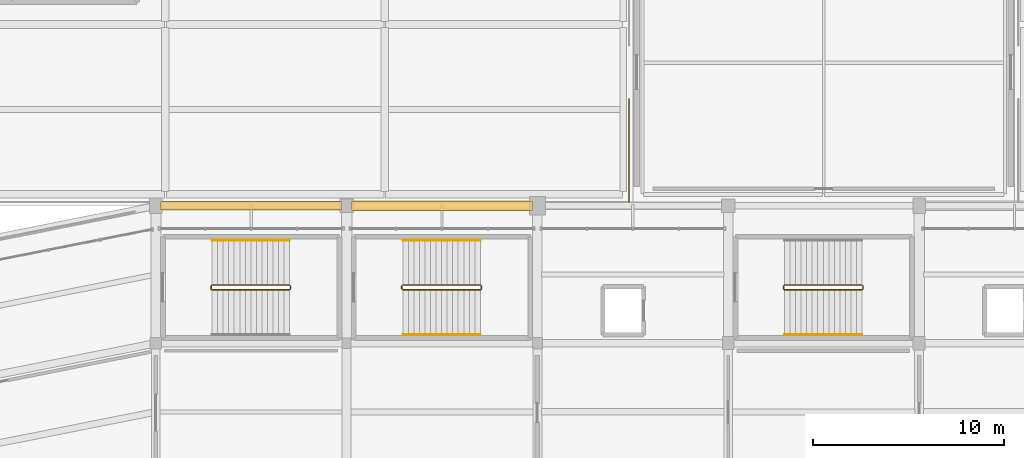
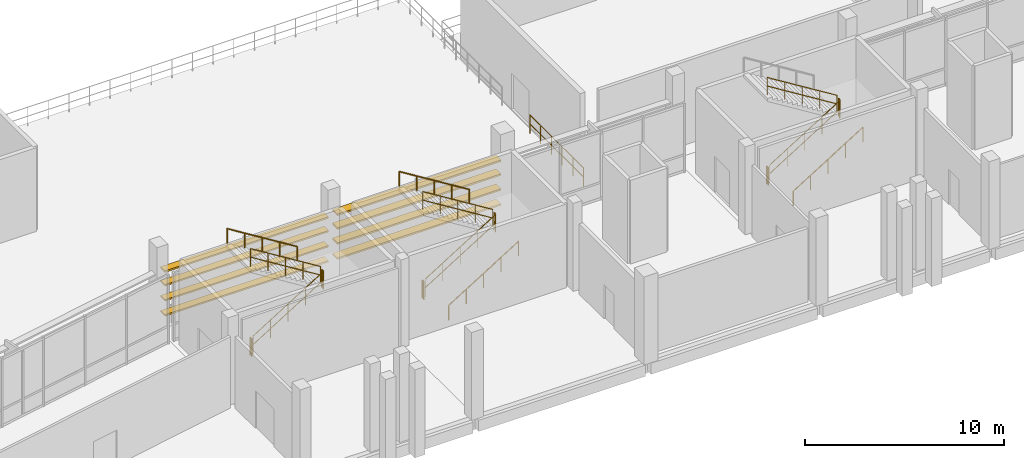
# One storey, part 106 of 111: 17 railings, 8 shading devices.
"""IFC4 building model written with IfcOpenShell, lengths in metres."""

import ifcopenshell
import ifcopenshell.guid

model = None  # the IFC model being written
_history = None  # IfcOwnerHistory: only IFC2X3 demands one
_inside = {}  # id of a spatial element -> (the spatial element, [elements in it])
_under = {}  # id of a project, library or spatial element -> (it, [spatial elements below it])
_declared = {}  # id of a project -> (the project, [libraries it declares])
_typed = {}  # id of a type object -> (the type object, [elements of that type])
_made_of = {}  # id of a material, layer set ... -> (it, [elements and type objects made of it])


def new_model(schema):
    """Start an empty IFC model of exactly this schema.

    Asked for "IFC4X3", IfcOpenShell would pick the latest addendum, in which some entities
    have other attributes; the version numbers below select the first issue.
    IFC2X3 requires an IfcOwnerHistory on every rooted entity: one is made here for all.
    """
    global model, _history
    if schema == "IFC4X3":
        model = ifcopenshell.file(schema_version=(4, 3, 0, 0))
    else:
        model = ifcopenshell.file(schema=schema)
    _inside.clear()
    _under.clear()
    _declared.clear()
    _typed.clear()
    _made_of.clear()
    _history = None
    if model.schema == "IFC2X3":
        org = make("IfcOrganization", Name="unknown")
        user = make(
            "IfcPersonAndOrganization",
            ThePerson=make("IfcPerson", FamilyName="unknown"),
            TheOrganization=org,
        )
        app = make(
            "IfcApplication",
            ApplicationDeveloper=org,
            Version="unknown",
            ApplicationFullName="unknown",
            ApplicationIdentifier="unknown",
        )
        _history = make(
            "IfcOwnerHistory",
            OwningUser=user,
            OwningApplication=app,
            ChangeAction="ADDED",
            CreationDate=0,
        )
    return model


def make(cls, **values):
    """One entity of the class cls with the attributes given. An attribute that is None is left unset."""
    return model.create_entity(
        cls, **{name: value for name, value in values.items() if value is not None}
    )


def rooted(cls, **values):
    """An entity with a GlobalId (a new one), such as an element, a storey or a relation."""
    return make(cls, GlobalId=ifcopenshell.guid.new(), OwnerHistory=_history, **values)


def si_unit(unit_type, name, prefix=None):
    """IfcSIUnit, for example si_unit("LENGTHUNIT", "METRE", prefix="MILLI")."""
    return make("IfcSIUnit", UnitType=unit_type, Prefix=prefix, Name=name)


def assignment(units):
    """IfcUnitAssignment: the units of a project."""
    return None if units is None else make("IfcUnitAssignment", Units=units)


def point(xyz):
    """IfcCartesianPoint."""
    return None if xyz is None else make("IfcCartesianPoint", Coordinates=xyz)


def direction(xyz):
    """IfcDirection."""
    return None if xyz is None else make("IfcDirection", DirectionRatios=xyz)


def frame(location, z_axis=None, x_axis=None):
    """IfcAxis2Placement3D, a coordinate frame: its origin and axes. An axis left out is left unset."""
    return make(
        "IfcAxis2Placement3D",
        Location=point(location),
        Axis=direction(z_axis),
        RefDirection=direction(x_axis),
    )


def frame_2d(location, x_axis=None):
    """IfcAxis2Placement2D, a coordinate frame in the plane: its origin and x axis."""
    return make(
        "IfcAxis2Placement2D", Location=point(location), RefDirection=direction(x_axis)
    )


def origin():
    """The frame at (0, 0, 0) with its axes left unset."""
    return frame((0.0, 0.0, 0.0))


def origin_2d():
    """The frame at (0, 0) in the plane with its x axis left unset."""
    return frame_2d((0.0, 0.0))


def place(relative_to, where):
    """IfcLocalPlacement: puts the frame where relative to a parent placement (None: the world)."""
    return make(
        "IfcLocalPlacement", PlacementRelTo=relative_to, RelativePlacement=where
    )


def context(
    kind, dimensions, precision=None, world=None, true_north=None, identifier=None
):
    """IfcGeometricRepresentationContext, for example the 3D "Model" context."""
    return make(
        "IfcGeometricRepresentationContext",
        ContextIdentifier=identifier,
        ContextType=kind,
        CoordinateSpaceDimension=dimensions,
        Precision=precision,
        WorldCoordinateSystem=world,
        TrueNorth=true_north,
    )


def subcontext(parent, identifier, kind, view, scale=None):
    """IfcGeometricRepresentationSubContext, for example "Body" below "Model"."""
    return make(
        "IfcGeometricRepresentationSubContext",
        ContextIdentifier=identifier,
        ContextType=kind,
        ParentContext=parent,
        TargetScale=scale,
        TargetView=view,
    )


def project(units=None, contexts=None):
    """IfcProject with its units and contexts."""
    return rooted(
        "IfcProject",
        Name="project",
        RepresentationContexts=contexts,
        UnitsInContext=assignment(units),
    )


def spatial(cls, under=None, at=None, **own):
    """A site, building, storey or space (cls), placed at a placement, below another one or the project."""
    s = rooted(cls, ObjectPlacement=at, **own)
    if under is not None:
        _under.setdefault(under.id(), (under, []))[1].append(s)
    return s


def profile(cls, at=None, kind="AREA", **sizes):
    """A parametric profile (cls). Its sizes go by their IFC names, for example OverallWidth=200.0."""
    return make(cls, ProfileType=kind, Position=at, **sizes)


def rectangle(**sizes):
    """IfcRectangleProfileDef."""
    return profile("IfcRectangleProfileDef", **sizes)


def circle(**sizes):
    """IfcCircleProfileDef."""
    return profile("IfcCircleProfileDef", **sizes)


def extrude(swept, where, along, depth):
    """IfcExtrudedAreaSolid: the profile swept, set in the frame where, extruded along a direction by depth."""
    return make(
        "IfcExtrudedAreaSolid",
        SweptArea=swept,
        Position=where,
        ExtrudedDirection=direction(along),
        Depth=depth,
    )


def shape(context_of_items, identifier, shape_type, items):
    """IfcShapeRepresentation: the items that make up one representation, for example the "Body"."""
    return make(
        "IfcShapeRepresentation",
        ContextOfItems=context_of_items,
        RepresentationIdentifier=identifier,
        RepresentationType=shape_type,
        Items=items,
    )


def material(Name=None, Category=None):
    """IfcMaterial."""
    return make("IfcMaterial", Name=Name, Category=Category)


def layer(
    of_material, thickness, ventilated=None, Name=None, Category=None, Priority=None
):
    """IfcMaterialLayer: one layer of a wall or slab, of a material (None: an air gap)."""
    return make(
        "IfcMaterialLayer",
        Material=of_material,
        LayerThickness=thickness,
        IsVentilated=ventilated,
        Name=Name,
        Category=Category,
        Priority=Priority,
    )


def layer_set(layers, Name=None):
    """IfcMaterialLayerSet."""
    return make("IfcMaterialLayerSet", MaterialLayers=layers, LayerSetName=Name)


def made_of(thing, what):
    """Note that an element or type object is made of a material, layer set ...; save() writes the relation."""
    if what is not None:
        _made_of.setdefault(what.id(), (what, []))[1].append(thing)
    return thing


def type_object(cls, material=None, **own):
    """A type object (cls), such as IfcWallType, which elements share."""
    return made_of(rooted(cls, **own), material)


def element(
    cls,
    number,
    at=None,
    inside=None,
    cuts=None,
    type_object=None,
    material=None,
    context=None,
    identifier="Body",
    shape_type=None,
    held_by="IfcProductDefinitionShape",
    body=None,
    shapes=None,
    **own,
):
    """One element of the class cls, such as IfcWall. Its Tag is "e" and its number.

    at: its placement. inside: the storey or other place that contains it. cuts: it is an
    opening in that element (IfcRelVoidsElement). A single representation is given by context,
    identifier, shape_type and body (its items); several are given by shapes. held_by: the class
    of the entity that holds the representations. save() writes the other relations.
    """
    e = rooted(cls, Tag="e%d" % number, ObjectPlacement=at, **own)
    if body is not None:
        shapes = [shape(context, identifier, shape_type, body)]
    if shapes is not None:
        e.Representation = make(held_by, Representations=shapes)
    if inside is not None:
        _inside.setdefault(inside.id(), (inside, []))[1].append(e)
    if cuts is not None:
        rooted(
            "IfcRelVoidsElement", RelatingBuildingElement=cuts, RelatedOpeningElement=e
        )
    if type_object is not None:
        _typed.setdefault(type_object.id(), (type_object, []))[1].append(e)
    return made_of(e, material)


def aggregate(whole, parts):
    """IfcRelAggregates: a whole, such as a stair, and the parts it consists of."""
    return rooted("IfcRelAggregates", RelatingObject=whole, RelatedObjects=parts)


def save(model, path):
    """Write the relations noted so far, then the file.

    IfcRelAggregates (storeys below a building ...), IfcRelContainedInSpatialStructure (elements
    in a storey), IfcRelDefinesByType, IfcRelAssociatesMaterial and IfcRelDeclares: one each for
    every whole, place, type object, material and project.
    """
    for whole, parts in _under.values():
        aggregate(whole, parts)
    for where, things in _inside.values():
        rooted(
            "IfcRelContainedInSpatialStructure",
            RelatedElements=things,
            RelatingStructure=where,
        )
    for kind, things in _typed.values():
        rooted("IfcRelDefinesByType", RelatedObjects=things, RelatingType=kind)
    for what, things in _made_of.values():
        rooted("IfcRelAssociatesMaterial", RelatedObjects=things, RelatingMaterial=what)
    for by, libraries in _declared.values():
        rooted("IfcRelDeclares", RelatingContext=by, RelatedDefinitions=libraries)
    model.write(path)


model = new_model("IFC4")

# Units and contexts
model_context = context("Model", 3, precision=1e-05, world=origin(), true_north=direction((0.0, 1.0)))
body_context = subcontext(model_context, "Body", "Model", "MODEL_VIEW")
ifc_project = project(units=[si_unit("LENGTHUNIT", "METRE"), si_unit("AREAUNIT", "SQUARE_METRE"), si_unit("VOLUMEUNIT", "CUBIC_METRE"), si_unit("PLANEANGLEUNIT", "RADIAN"), si_unit("MASSUNIT", "GRAM", prefix="KILO")], contexts=[model_context])

# Site, building, storey
site_placement = place(None, origin())
site = spatial("IfcSite", under=ifc_project, at=site_placement, CompositionType="ELEMENT")
building_placement = place(site_placement, origin())
building = spatial("IfcBuilding", under=site, at=building_placement, Name="Candeia Ridge Stadium", CompositionType="ELEMENT")
storey_placement = place(building_placement, frame((0.0, 0.0, 16.199951171875)))
storey = spatial("IfcBuildingStorey", under=building, at=storey_placement, Name="L03", CompositionType="ELEMENT", Elevation=16.199951171875)

# Railings
ifc_material_1 = material(Name="Laminated Glass & Stainless Steel", Category="steel")
ifc_layer_1 = layer(ifc_material_1, 0.080078125, Name="Laminated Glass & Stainless Steel", Category="steel")
ifc_layer_set_1 = layer_set([ifc_layer_1], Name="Laminated Glass & Stainless Steel")
railing_type_1 = type_object("IfcRailingType", Name="Planted Terrace Glass-Steel Guard 1150", PredefinedType="BALUSTRADE", material=ifc_layer_set_1)
railing_1_placement = place(storey_placement, frame((95.800048828125, 152.60009765625, 0.0)))
element("IfcRailing", 1, at=railing_1_placement, inside=storey, type_object=railing_type_1, Name="Terrace perimeter balustrade GR-TER-186", PredefinedType="BALUSTRADE", context=body_context, shape_type="SweptSolid", body=[
    extrude(circle(Radius=0.02392578125, at=origin_2d()), frame((0.0, 0.0, 1.1259765625), z_axis=(0.0, -1.0, 0.0), x_axis=(1.0, 0.0, 0.0)), (0.0, 0.0, 1.0), 5.400146484375),
    extrude(circle(Radius=0.02392578125, at=origin_2d()), frame((0.0, 0.0, 0.574951171875), z_axis=(0.0, -1.0, 0.0), x_axis=(1.0, 0.0, 0.0)), (0.0, 0.0, 1.0), 5.400146484375),
    extrude(circle(Radius=0.02099609375, at=origin_2d()), origin(), (0.0, 0.0, 1.0), 1.101806640625),
    extrude(circle(Radius=0.02099609375, at=origin_2d()), frame((0.0, -1.080078125, 0.0)), (0.0, 0.0, 1.0), 1.101806640625),
    extrude(circle(Radius=0.02099609375, at=origin_2d()), frame((0.0, -2.16015625, 0.0)), (0.0, 0.0, 1.0), 1.101806640625),
    extrude(circle(Radius=0.02099609375, at=origin_2d()), frame((0.0, -3.239990234375, 0.0)), (0.0, 0.0, 1.0), 1.101806640625),
    extrude(circle(Radius=0.02099609375, at=origin_2d()), frame((0.0, -4.320068359375, 0.0)), (0.0, 0.0, 1.0), 1.101806640625),
    extrude(circle(Radius=0.02099609375, at=origin_2d()), frame((0.0, -5.400146484375, 0.0)), (0.0, 0.0, 1.0), 1.101806640625),
])
ifc_material_2 = material(Name="Brushed Stainless Steel", Category="steel")
ifc_layer_2 = layer(ifc_material_2, 0.048095703125, Name="Brushed Stainless Steel", Category="steel")
ifc_layer_set_2 = layer_set([ifc_layer_2], Name="Brushed Stainless Steel")
railing_type_2 = type_object("IfcRailingType", Name="Stair Wall & Flight Handrail 900", PredefinedType="HANDRAIL", material=ifc_layer_set_2)
railing_2_placement = place(storey_placement, frame((78.010009765625, 145.199951171875, 2.880126953125)))
element("IfcRailing", 2, at=railing_2_placement, inside=storey, type_object=railing_type_2, Name="L03 ST01 stair handrail 2", PredefinedType="HANDRAIL", context=body_context, shape_type="SweptSolid", body=[
    extrude(circle(Radius=0.02392578125, at=origin_2d()), frame((0.0, 0.0, 0.8759765625), z_axis=(-0.849641744969, 0.0, 0.527360318194), x_axis=(0.0, -1.0, 0.0)), (0.0, 0.0, 1.0), 4.778564453125),
    extrude(circle(Radius=0.02099609375, at=origin_2d()), origin(), (0.0, 0.0, 1.0), 0.851806640625),
    extrude(circle(Radius=0.02099609375, at=origin_2d()), frame((-1.01513671875, 0.0, 0.6298828125)), (0.0, 0.0, 1.0), 0.851806640625),
    extrude(circle(Radius=0.02099609375, at=origin_2d()), frame((-2.030029296875, 0.0, 1.260009765625)), (0.0, 0.0, 1.0), 0.851806640625),
    extrude(circle(Radius=0.02099609375, at=origin_2d()), frame((-3.044921875, 0.0, 1.89013671875)), (0.0, 0.0, 1.0), 0.851806640625),
    extrude(circle(Radius=0.02099609375, at=origin_2d()), frame((-4.06005859375, 0.0, 2.52001953125)), (0.0, 0.0, 1.0), 0.851806640625),
])
railing_3_placement = place(storey_placement, frame((83.949951171875, 140.25, 0.179931640625)))
element("IfcRailing", 3, at=railing_3_placement, inside=storey, type_object=railing_type_2, Name="L03 ST09 stair handrail 1", PredefinedType="HANDRAIL", context=body_context, shape_type="SweptSolid", body=[
    extrude(circle(Radius=0.02392578125, at=origin_2d()), frame((0.0, 0.0, 0.8759765625), z_axis=(0.849641744969, 0.0, 0.527360318194), x_axis=(0.0, 1.0, 0.0)), (0.0, 0.0, 1.0), 4.778564453125),
    extrude(circle(Radius=0.02099609375, at=origin_2d()), origin(), (0.0, 0.0, 1.0), 0.851806640625),
    extrude(circle(Radius=0.02099609375, at=origin_2d()), frame((1.01513671875, 0.0, 0.6298828125)), (0.0, 0.0, 1.0), 0.851806640625),
    extrude(circle(Radius=0.02099609375, at=origin_2d()), frame((2.030029296875, 0.0, 1.260009765625)), (0.0, 0.0, 1.0), 0.851806640625),
    extrude(circle(Radius=0.02099609375, at=origin_2d()), frame((3.044921875, 0.0, 1.89013671875)), (0.0, 0.0, 1.0), 0.851806640625),
    extrude(circle(Radius=0.02099609375, at=origin_2d()), frame((4.06005859375, 0.0, 2.52001953125)), (0.0, 0.0, 1.0), 0.851806640625),
])
railing_4_placement = place(storey_placement, frame((88.010009765625, 145.199951171875, 2.880126953125)))
element("IfcRailing", 4, at=railing_4_placement, inside=storey, type_object=railing_type_2, Name="L03 ST09 stair handrail 2", PredefinedType="HANDRAIL", context=body_context, shape_type="SweptSolid", body=[
    extrude(circle(Radius=0.02392578125, at=origin_2d()), frame((0.0, 0.0, 0.8759765625), z_axis=(-0.849641744969, 0.0, 0.527360318194), x_axis=(0.0, -1.0, 0.0)), (0.0, 0.0, 1.0), 4.778564453125),
    extrude(circle(Radius=0.02099609375, at=origin_2d()), origin(), (0.0, 0.0, 1.0), 0.851806640625),
    extrude(circle(Radius=0.02099609375, at=origin_2d()), frame((-1.01513671875, 0.0, 0.6298828125)), (0.0, 0.0, 1.0), 0.851806640625),
    extrude(circle(Radius=0.02099609375, at=origin_2d()), frame((-2.030029296875, 0.0, 1.260009765625)), (0.0, 0.0, 1.0), 0.851806640625),
    extrude(circle(Radius=0.02099609375, at=origin_2d()), frame((-3.044921875, 0.0, 1.89013671875)), (0.0, 0.0, 1.0), 0.851806640625),
    extrude(circle(Radius=0.02099609375, at=origin_2d()), frame((-4.06005859375, 0.0, 2.52001953125)), (0.0, 0.0, 1.0), 0.851806640625),
])
railing_5_placement = place(storey_placement, frame((103.949951171875, 140.25, 0.179931640625)))
element("IfcRailing", 5, at=railing_5_placement, inside=storey, type_object=railing_type_2, Name="L03 ST17 stair handrail 1", PredefinedType="HANDRAIL", context=body_context, shape_type="SweptSolid", body=[
    extrude(circle(Radius=0.02392578125, at=origin_2d()), frame((0.0, 0.0, 0.8759765625), z_axis=(0.849641744969, 0.0, 0.527360318194), x_axis=(0.0, 1.0, 0.0)), (0.0, 0.0, 1.0), 4.778564453125),
    extrude(circle(Radius=0.02099609375, at=origin_2d()), origin(), (0.0, 0.0, 1.0), 0.851806640625),
    extrude(circle(Radius=0.02099609375, at=origin_2d()), frame((1.01513671875, 0.0, 0.6298828125)), (0.0, 0.0, 1.0), 0.851806640625),
    extrude(circle(Radius=0.02099609375, at=origin_2d()), frame((2.030029296875, 0.0, 1.260009765625)), (0.0, 0.0, 1.0), 0.851806640625),
    extrude(circle(Radius=0.02099609375, at=origin_2d()), frame((3.044921875, 0.0, 1.89013671875)), (0.0, 0.0, 1.0), 0.851806640625),
    extrude(circle(Radius=0.02099609375, at=origin_2d()), frame((4.06005859375, 0.0, 2.52001953125)), (0.0, 0.0, 1.0), 0.851806640625),
])
ifc_material_3 = material(Name="Galvanized Powder-Coated Steel", Category="steel")
ifc_layer_3 = layer(ifc_material_3, 0.06005859375, Name="Galvanized Powder-Coated Steel", Category="steel")
ifc_layer_set_3 = layer_set([ifc_layer_3], Name="Galvanized Powder-Coated Steel")
railing_type_3 = type_object("IfcRailingType", Name="Stair Well Guardrail 1100", PredefinedType="GUARDRAIL", material=ifc_layer_set_3)
railing_6_placement = place(storey_placement, frame((73.949951171875, 142.60009765625, 0.179931640625)))
element("IfcRailing", 6, at=railing_6_placement, inside=storey, type_object=railing_type_3, Name="L03 ST01 stair guard 1", PredefinedType="GUARDRAIL", context=body_context, shape_type="SweptSolid", body=[
    extrude(circle(Radius=0.02392578125, at=origin_2d()), frame((0.0, 0.0, 1.076171875), z_axis=(0.849641744969, 0.0, 0.527360318194), x_axis=(0.0, 1.0, 0.0)), (0.0, 0.0, 1.0), 4.778564453125),
    extrude(circle(Radius=0.02392578125, at=origin_2d()), frame((0.0, 0.0, 0.550048828125), z_axis=(0.849641744969, 0.0, 0.527360318194), x_axis=(0.0, 1.0, 0.0)), (0.0, 0.0, 1.0), 4.778564453125),
    extrude(circle(Radius=0.02099609375, at=origin_2d()), origin(), (0.0, 0.0, 1.0), 1.052001953125),
    extrude(circle(Radius=0.02099609375, at=origin_2d()), frame((1.01513671875, 0.0, 0.6298828125)), (0.0, 0.0, 1.0), 1.052001953125),
    extrude(circle(Radius=0.02099609375, at=origin_2d()), frame((2.030029296875, 0.0, 1.260009765625)), (0.0, 0.0, 1.0), 1.052001953125),
    extrude(circle(Radius=0.02099609375, at=origin_2d()), frame((3.044921875, 0.0, 1.89013671875)), (0.0, 0.0, 1.0), 1.052001953125),
    extrude(circle(Radius=0.02099609375, at=origin_2d()), frame((4.06005859375, 0.0, 2.52001953125)), (0.0, 0.0, 1.0), 1.052001953125),
])
railing_7_placement = place(storey_placement, frame((78.06005859375, 142.64990234375, 2.699951171875)))
element("IfcRailing", 7, at=railing_7_placement, inside=storey, type_object=railing_type_3, Name="L03 ST01 stair guard 2", PredefinedType="GUARDRAIL", context=body_context, shape_type="SweptSolid", body=[
    extrude(circle(Radius=0.02392578125, at=origin_2d()), frame((0.0, 0.0, 1.076171875), z_axis=(0.0, 1.0, 0.0), x_axis=(-1.0, 0.0, 0.0)), (0.0, 0.0, 1.0), 0.150146484375),
    extrude(circle(Radius=0.02392578125, at=origin_2d()), frame((0.0, 0.0, 0.550048828125), z_axis=(0.0, 1.0, 0.0), x_axis=(-1.0, 0.0, 0.0)), (0.0, 0.0, 1.0), 0.150146484375),
    extrude(circle(Radius=0.02099609375, at=origin_2d()), origin(), (0.0, 0.0, 1.0), 1.052001953125),
    extrude(circle(Radius=0.02099609375, at=origin_2d()), frame((0.0, 0.150146484375, 0.0)), (0.0, 0.0, 1.0), 1.052001953125),
])
railing_8_placement = place(storey_placement, frame((78.010009765625, 142.85009765625, 2.880126953125)))
element("IfcRailing", 8, at=railing_8_placement, inside=storey, type_object=railing_type_3, Name="L03 ST01 stair guard 3", PredefinedType="GUARDRAIL", context=body_context, shape_type="SweptSolid", body=[
    extrude(circle(Radius=0.02392578125, at=origin_2d()), frame((0.0, 0.0, 1.076171875), z_axis=(-0.849641744969, 0.0, 0.527360318194), x_axis=(0.0, -1.0, 0.0)), (0.0, 0.0, 1.0), 4.778564453125),
    extrude(circle(Radius=0.02392578125, at=origin_2d()), frame((0.0, 0.0, 0.550048828125), z_axis=(-0.849641744969, 0.0, 0.527360318194), x_axis=(0.0, -1.0, 0.0)), (0.0, 0.0, 1.0), 4.778564453125),
    extrude(circle(Radius=0.02099609375, at=origin_2d()), origin(), (0.0, 0.0, 1.0), 1.052001953125),
    extrude(circle(Radius=0.02099609375, at=origin_2d()), frame((-1.01513671875, 0.0, 0.6298828125)), (0.0, 0.0, 1.0), 1.052001953125),
    extrude(circle(Radius=0.02099609375, at=origin_2d()), frame((-2.030029296875, 0.0, 1.260009765625)), (0.0, 0.0, 1.0), 1.052001953125),
    extrude(circle(Radius=0.02099609375, at=origin_2d()), frame((-3.044921875, 0.0, 1.89013671875)), (0.0, 0.0, 1.0), 1.052001953125),
    extrude(circle(Radius=0.02099609375, at=origin_2d()), frame((-4.06005859375, 0.0, 2.52001953125)), (0.0, 0.0, 1.0), 1.052001953125),
])
railing_9_placement = place(storey_placement, frame((73.89990234375, 142.64990234375, 0.0)))
element("IfcRailing", 9, at=railing_9_placement, inside=storey, type_object=railing_type_3, Name="L03 ST01 stair guard 4", PredefinedType="GUARDRAIL", context=body_context, shape_type="SweptSolid", body=[
    extrude(circle(Radius=0.02392578125, at=origin_2d()), frame((0.0, 0.0, 1.076171875), z_axis=(0.0, 1.0, 0.0), x_axis=(-1.0, 0.0, 0.0)), (0.0, 0.0, 1.0), 0.150146484375),
    extrude(circle(Radius=0.02392578125, at=origin_2d()), frame((0.0, 0.0, 0.550048828125), z_axis=(0.0, 1.0, 0.0), x_axis=(-1.0, 0.0, 0.0)), (0.0, 0.0, 1.0), 0.150146484375),
    extrude(circle(Radius=0.02099609375, at=origin_2d()), origin(), (0.0, 0.0, 1.0), 1.052001953125),
    extrude(circle(Radius=0.02099609375, at=origin_2d()), frame((0.0, 0.150146484375, 0.0)), (0.0, 0.0, 1.0), 1.052001953125),
])
railing_10_placement = place(storey_placement, frame((83.949951171875, 142.60009765625, 0.179931640625)))
element("IfcRailing", 10, at=railing_10_placement, inside=storey, type_object=railing_type_3, Name="L03 ST09 stair guard 1", PredefinedType="GUARDRAIL", context=body_context, shape_type="SweptSolid", body=[
    extrude(circle(Radius=0.02392578125, at=origin_2d()), frame((0.0, 0.0, 1.076171875), z_axis=(0.849641744969, 0.0, 0.527360318194), x_axis=(0.0, 1.0, 0.0)), (0.0, 0.0, 1.0), 4.778564453125),
    extrude(circle(Radius=0.02392578125, at=origin_2d()), frame((0.0, 0.0, 0.550048828125), z_axis=(0.849641744969, 0.0, 0.527360318194), x_axis=(0.0, 1.0, 0.0)), (0.0, 0.0, 1.0), 4.778564453125),
    extrude(circle(Radius=0.02099609375, at=origin_2d()), origin(), (0.0, 0.0, 1.0), 1.052001953125),
    extrude(circle(Radius=0.02099609375, at=origin_2d()), frame((1.01513671875, 0.0, 0.6298828125)), (0.0, 0.0, 1.0), 1.052001953125),
    extrude(circle(Radius=0.02099609375, at=origin_2d()), frame((2.030029296875, 0.0, 1.260009765625)), (0.0, 0.0, 1.0), 1.052001953125),
    extrude(circle(Radius=0.02099609375, at=origin_2d()), frame((3.044921875, 0.0, 1.89013671875)), (0.0, 0.0, 1.0), 1.052001953125),
    extrude(circle(Radius=0.02099609375, at=origin_2d()), frame((4.06005859375, 0.0, 2.52001953125)), (0.0, 0.0, 1.0), 1.052001953125),
])
railing_11_placement = place(storey_placement, frame((88.06005859375, 142.64990234375, 2.699951171875)))
element("IfcRailing", 11, at=railing_11_placement, inside=storey, type_object=railing_type_3, Name="L03 ST09 stair guard 2", PredefinedType="GUARDRAIL", context=body_context, shape_type="SweptSolid", body=[
    extrude(circle(Radius=0.02392578125, at=origin_2d()), frame((0.0, 0.0, 1.076171875), z_axis=(0.0, 1.0, 0.0), x_axis=(-1.0, 0.0, 0.0)), (0.0, 0.0, 1.0), 0.150146484375),
    extrude(circle(Radius=0.02392578125, at=origin_2d()), frame((0.0, 0.0, 0.550048828125), z_axis=(0.0, 1.0, 0.0), x_axis=(-1.0, 0.0, 0.0)), (0.0, 0.0, 1.0), 0.150146484375),
    extrude(circle(Radius=0.02099609375, at=origin_2d()), origin(), (0.0, 0.0, 1.0), 1.052001953125),
    extrude(circle(Radius=0.02099609375, at=origin_2d()), frame((0.0, 0.150146484375, 0.0)), (0.0, 0.0, 1.0), 1.052001953125),
])
railing_12_placement = place(storey_placement, frame((88.010009765625, 142.85009765625, 2.880126953125)))
element("IfcRailing", 12, at=railing_12_placement, inside=storey, type_object=railing_type_3, Name="L03 ST09 stair guard 3", PredefinedType="GUARDRAIL", context=body_context, shape_type="SweptSolid", body=[
    extrude(circle(Radius=0.02392578125, at=origin_2d()), frame((0.0, 0.0, 1.076171875), z_axis=(-0.849641744969, 0.0, 0.527360318194), x_axis=(0.0, -1.0, 0.0)), (0.0, 0.0, 1.0), 4.778564453125),
    extrude(circle(Radius=0.02392578125, at=origin_2d()), frame((0.0, 0.0, 0.550048828125), z_axis=(-0.849641744969, 0.0, 0.527360318194), x_axis=(0.0, -1.0, 0.0)), (0.0, 0.0, 1.0), 4.778564453125),
    extrude(circle(Radius=0.02099609375, at=origin_2d()), origin(), (0.0, 0.0, 1.0), 1.052001953125),
    extrude(circle(Radius=0.02099609375, at=origin_2d()), frame((-1.01513671875, 0.0, 0.6298828125)), (0.0, 0.0, 1.0), 1.052001953125),
    extrude(circle(Radius=0.02099609375, at=origin_2d()), frame((-2.030029296875, 0.0, 1.260009765625)), (0.0, 0.0, 1.0), 1.052001953125),
    extrude(circle(Radius=0.02099609375, at=origin_2d()), frame((-3.044921875, 0.0, 1.89013671875)), (0.0, 0.0, 1.0), 1.052001953125),
    extrude(circle(Radius=0.02099609375, at=origin_2d()), frame((-4.06005859375, 0.0, 2.52001953125)), (0.0, 0.0, 1.0), 1.052001953125),
])
railing_13_placement = place(storey_placement, frame((83.89990234375, 142.64990234375, 0.0)))
element("IfcRailing", 13, at=railing_13_placement, inside=storey, type_object=railing_type_3, Name="L03 ST09 stair guard 4", PredefinedType="GUARDRAIL", context=body_context, shape_type="SweptSolid", body=[
    extrude(circle(Radius=0.02392578125, at=origin_2d()), frame((0.0, 0.0, 1.076171875), z_axis=(0.0, 1.0, 0.0), x_axis=(-1.0, 0.0, 0.0)), (0.0, 0.0, 1.0), 0.150146484375),
    extrude(circle(Radius=0.02392578125, at=origin_2d()), frame((0.0, 0.0, 0.550048828125), z_axis=(0.0, 1.0, 0.0), x_axis=(-1.0, 0.0, 0.0)), (0.0, 0.0, 1.0), 0.150146484375),
    extrude(circle(Radius=0.02099609375, at=origin_2d()), origin(), (0.0, 0.0, 1.0), 1.052001953125),
    extrude(circle(Radius=0.02099609375, at=origin_2d()), frame((0.0, 0.150146484375, 0.0)), (0.0, 0.0, 1.0), 1.052001953125),
])
railing_14_placement = place(storey_placement, frame((103.949951171875, 142.60009765625, 0.179931640625)))
element("IfcRailing", 14, at=railing_14_placement, inside=storey, type_object=railing_type_3, Name="L03 ST17 stair guard 1", PredefinedType="GUARDRAIL", context=body_context, shape_type="SweptSolid", body=[
    extrude(circle(Radius=0.02392578125, at=origin_2d()), frame((0.0, 0.0, 1.076171875), z_axis=(0.849641744969, 0.0, 0.527360318194), x_axis=(0.0, 1.0, 0.0)), (0.0, 0.0, 1.0), 4.778564453125),
    extrude(circle(Radius=0.02392578125, at=origin_2d()), frame((0.0, 0.0, 0.550048828125), z_axis=(0.849641744969, 0.0, 0.527360318194), x_axis=(0.0, 1.0, 0.0)), (0.0, 0.0, 1.0), 4.778564453125),
    extrude(circle(Radius=0.02099609375, at=origin_2d()), origin(), (0.0, 0.0, 1.0), 1.052001953125),
    extrude(circle(Radius=0.02099609375, at=origin_2d()), frame((1.01513671875, 0.0, 0.6298828125)), (0.0, 0.0, 1.0), 1.052001953125),
    extrude(circle(Radius=0.02099609375, at=origin_2d()), frame((2.030029296875, 0.0, 1.260009765625)), (0.0, 0.0, 1.0), 1.052001953125),
    extrude(circle(Radius=0.02099609375, at=origin_2d()), frame((3.044921875, 0.0, 1.89013671875)), (0.0, 0.0, 1.0), 1.052001953125),
    extrude(circle(Radius=0.02099609375, at=origin_2d()), frame((4.06005859375, 0.0, 2.52001953125)), (0.0, 0.0, 1.0), 1.052001953125),
])
railing_15_placement = place(storey_placement, frame((108.06005859375, 142.64990234375, 2.699951171875)))
element("IfcRailing", 15, at=railing_15_placement, inside=storey, type_object=railing_type_3, Name="L03 ST17 stair guard 2", PredefinedType="GUARDRAIL", context=body_context, shape_type="SweptSolid", body=[
    extrude(circle(Radius=0.02392578125, at=origin_2d()), frame((0.0, 0.0, 1.076171875), z_axis=(0.0, 1.0, 0.0), x_axis=(-1.0, 0.0, 0.0)), (0.0, 0.0, 1.0), 0.150146484375),
    extrude(circle(Radius=0.02392578125, at=origin_2d()), frame((0.0, 0.0, 0.550048828125), z_axis=(0.0, 1.0, 0.0), x_axis=(-1.0, 0.0, 0.0)), (0.0, 0.0, 1.0), 0.150146484375),
    extrude(circle(Radius=0.02099609375, at=origin_2d()), origin(), (0.0, 0.0, 1.0), 1.052001953125),
    extrude(circle(Radius=0.02099609375, at=origin_2d()), frame((0.0, 0.150146484375, 0.0)), (0.0, 0.0, 1.0), 1.052001953125),
])
railing_16_placement = place(storey_placement, frame((108.010009765625, 142.85009765625, 2.880126953125)))
element("IfcRailing", 16, at=railing_16_placement, inside=storey, type_object=railing_type_3, Name="L03 ST17 stair guard 3", PredefinedType="GUARDRAIL", context=body_context, shape_type="SweptSolid", body=[
    extrude(circle(Radius=0.02392578125, at=origin_2d()), frame((0.0, 0.0, 1.076171875), z_axis=(-0.849641744969, 0.0, 0.527360318194), x_axis=(0.0, -1.0, 0.0)), (0.0, 0.0, 1.0), 4.778564453125),
    extrude(circle(Radius=0.02392578125, at=origin_2d()), frame((0.0, 0.0, 0.550048828125), z_axis=(-0.849641744969, 0.0, 0.527360318194), x_axis=(0.0, -1.0, 0.0)), (0.0, 0.0, 1.0), 4.778564453125),
    extrude(circle(Radius=0.02099609375, at=origin_2d()), origin(), (0.0, 0.0, 1.0), 1.052001953125),
    extrude(circle(Radius=0.02099609375, at=origin_2d()), frame((-1.01513671875, 0.0, 0.6298828125)), (0.0, 0.0, 1.0), 1.052001953125),
    extrude(circle(Radius=0.02099609375, at=origin_2d()), frame((-2.030029296875, 0.0, 1.260009765625)), (0.0, 0.0, 1.0), 1.052001953125),
    extrude(circle(Radius=0.02099609375, at=origin_2d()), frame((-3.044921875, 0.0, 1.89013671875)), (0.0, 0.0, 1.0), 1.052001953125),
    extrude(circle(Radius=0.02099609375, at=origin_2d()), frame((-4.06005859375, 0.0, 2.52001953125)), (0.0, 0.0, 1.0), 1.052001953125),
])
railing_17_placement = place(storey_placement, frame((103.89990234375, 142.64990234375, 0.0)))
element("IfcRailing", 17, at=railing_17_placement, inside=storey, type_object=railing_type_3, Name="L03 ST17 stair guard 4", PredefinedType="GUARDRAIL", context=body_context, shape_type="SweptSolid", body=[
    extrude(circle(Radius=0.02392578125, at=origin_2d()), frame((0.0, 0.0, 1.076171875), z_axis=(0.0, 1.0, 0.0), x_axis=(-1.0, 0.0, 0.0)), (0.0, 0.0, 1.0), 0.150146484375),
    extrude(circle(Radius=0.02392578125, at=origin_2d()), frame((0.0, 0.0, 0.550048828125), z_axis=(0.0, 1.0, 0.0), x_axis=(-1.0, 0.0, 0.0)), (0.0, 0.0, 1.0), 0.150146484375),
    extrude(circle(Radius=0.02099609375, at=origin_2d()), origin(), (0.0, 0.0, 1.0), 1.052001953125),
    extrude(circle(Radius=0.02099609375, at=origin_2d()), frame((0.0, 0.150146484375, 0.0)), (0.0, 0.0, 1.0), 1.052001953125),
])

# Shading devices
ifc_material_4 = material(Name="Aluminium Anodized Warm Bronze", Category="aluminium")
shading_device_type_1 = type_object("IfcShadingDeviceType", Name="Weathered Bronze Horizontal Solar Rib 440x95", PredefinedType="JALOUSIE", material=ifc_material_4)
for number, where, z_axis, x_axis, name in (
    (18, (76.0, 147.0, 0.87744140625), (0.0, 0.0, 1.0), (-1.0, 0.0, 0.0), "Weathered bronze horizontal solar rib L03 bay 07-1"),
    (19, (76.0, 147.0, 1.802734375), (0.0, 0.0, 1.0), (-1.0, 0.0, 0.0), "Weathered bronze horizontal solar rib L03 bay 07-2"),
    (20, (76.0, 147.0, 2.72802734375), (0.0, 0.0, 1.0), (-1.0, 0.0, 0.0), "Weathered bronze horizontal solar rib L03 bay 07-3"),
    (21, (76.0, 147.0, 3.56884765625), (0.0, 0.0, 1.0), (-1.0, 0.0, 0.0), "Weathered bronze horizontal solar rib L03 bay 07-4"),
):
    element("IfcShadingDevice", number, at=place(storey_placement, frame(where, z_axis=z_axis, x_axis=x_axis)), inside=storey, type_object=shading_device_type_1, Name=name, PredefinedType="JALOUSIE", context=body_context, shape_type="SweptSolid", body=[
        extrude(rectangle(XDim=9.5, YDim=0.43994140625, at=origin_2d()), origin(), (0.0, 0.0, 1.0), 0.094970703125),
    ])
shading_device_type_2 = type_object("IfcShadingDeviceType", Name="Weathered Bronze Horizontal Solar Rib 500x105", PredefinedType="JALOUSIE", material=ifc_material_4)
for number, where, z_axis, x_axis, name in (
    (22, (86.0, 147.0, 0.87255859375), (0.0, 0.0, 1.0), (-1.0, 0.0, 0.0), "Weathered bronze horizontal solar rib L03 bay 06-1"),
    (23, (86.0, 147.0, 1.7978515625), (0.0, 0.0, 1.0), (-1.0, 0.0, 0.0), "Weathered bronze horizontal solar rib L03 bay 06-2"),
    (24, (86.0, 147.0, 2.722900390625), (0.0, 0.0, 1.0), (-1.0, 0.0, 0.0), "Weathered bronze horizontal solar rib L03 bay 06-3"),
    (25, (86.0, 147.0, 3.56396484375), (0.0, 0.0, 1.0), (-1.0, 0.0, 0.0), "Weathered bronze horizontal solar rib L03 bay 06-4"),
):
    element("IfcShadingDevice", number, at=place(storey_placement, frame(where, z_axis=z_axis, x_axis=x_axis)), inside=storey, type_object=shading_device_type_2, Name=name, PredefinedType="JALOUSIE", context=body_context, shape_type="SweptSolid", body=[
        extrude(rectangle(XDim=9.5, YDim=0.5, at=origin_2d()), origin(), (0.0, 0.0, 1.0), 0.10498046875),
    ])

save(model, "model.ifc")
